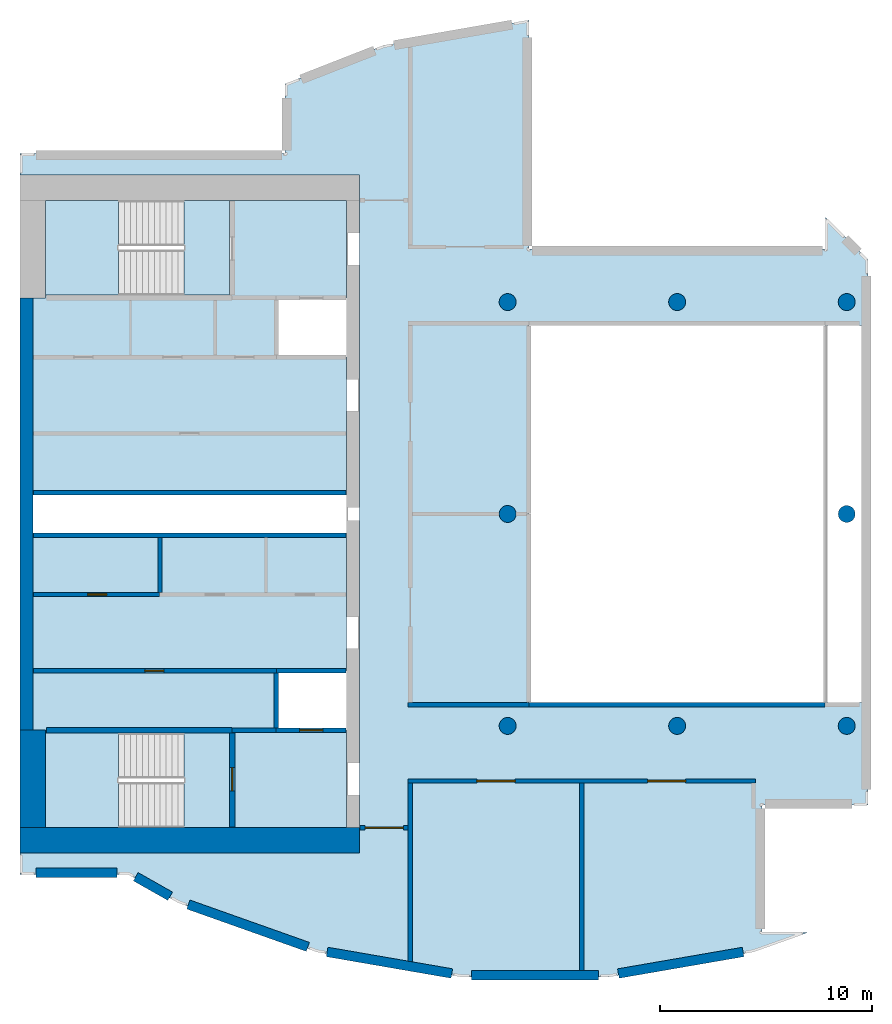
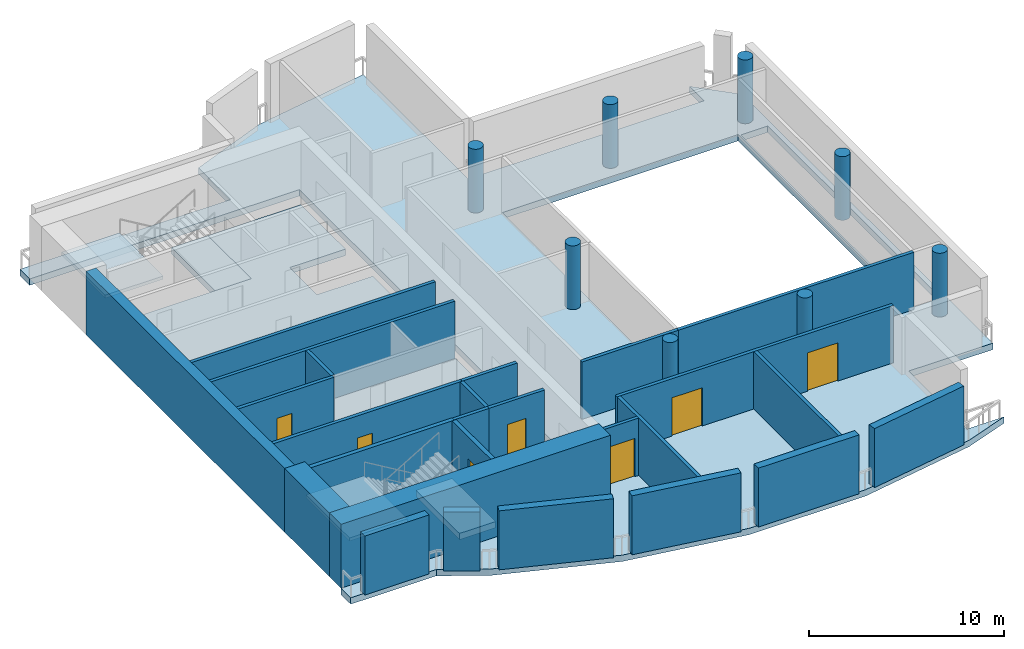
# One storey, part 1 of 8: 26 walls, 8 columns, 7 doors, 7 slabs, 7 openings, 2 elements without a shape of their own.
"""IFC4 building model written with IfcOpenShell, lengths in metres."""

from ifc_helpers import new_model, si_unit, direction, frame, frame_2d, origin, origin_2d, place, context, subcontext, project, spatial, polyline, rectangle, circle, outline, extrude, material, layer, layer_set, material_profile, profile_set, type_object, element, fill, aggregate, save


model = new_model("IFC4")

# Units and contexts
model_context = context("Model", 3, precision=1e-05, world=origin(), true_north=direction((0.0, 1.0)))
body_context = subcontext(model_context, "Body", "Model", "MODEL_VIEW")
ifc_project = project(units=[si_unit("LENGTHUNIT", "METRE"), si_unit("AREAUNIT", "SQUARE_METRE"), si_unit("VOLUMEUNIT", "CUBIC_METRE"), si_unit("PLANEANGLEUNIT", "RADIAN"), si_unit("MASSUNIT", "GRAM", prefix="KILO")], contexts=[model_context])

# Site, building, storey
site_placement = place(None, origin())
site = spatial("IfcSite", under=ifc_project, at=site_placement, CompositionType="ELEMENT")
building_placement = place(site_placement, origin())
building = spatial("IfcBuilding", under=site, at=building_placement, Name="Cypress Arch Tower", CompositionType="ELEMENT")
storey_placement = place(building_placement, frame((0.0, 0.0, 347.0)))
storey = spatial("IfcBuildingStorey", under=building, at=storey_placement, Name="L79", CompositionType="ELEMENT", Elevation=347.0)

# Columns
ifc_material_1 = material(Name="Concrete C60/75", Category="concrete")
ifc_material_profile = material_profile(ifc_material_1, circle(Radius=0.39990234375, at=origin_2d()), Name="RC D800")
ifc_profile_set = profile_set([ifc_material_profile], Name="Concrete C60/75")
column_type = type_object("IfcColumnType", Name="Column RC D800 Concrete C60/75", PredefinedType="COLUMN", material=ifc_profile_set)
for number, where, z_axis, x_axis, name in (
    (1, (-7.0, -10.0, 0.0), (0.0, 0.0, 1.0), (1.0, 0.0, 0.0), "Column L79 RNG-L79-G-7-10"),
    (2, (-7.0, 0.0, 0.0), (0.0, 0.0, 1.0), (1.0, 0.0, 0.0), "Column L79 RNG-L79-G-7+0"),
    (3, (-7.0, 10.0, 0.0), (0.0, 0.0, 1.0), (1.0, 0.0, 0.0), "Column L79 RNG-L79-G-7+10"),
    (4, (1.0, -10.0, 0.0), (0.0, 0.0, 1.0), (1.0, 0.0, 0.0), "Column L79 RNG-L79-G+1-10"),
    (5, (1.0, 10.0, 0.0), (0.0, 0.0, 1.0), (1.0, 0.0, 0.0), "Column L79 RNG-L79-G+1+10"),
    (6, (9.0, -10.0, 0.0), (0.0, 0.0, 1.0), (1.0, 0.0, 0.0), "Column L79 RNG-L79-G+9-10"),
    (7, (9.0, 0.0, 0.0), (0.0, 0.0, 1.0), (1.0, 0.0, 0.0), "Column L79 RNG-L79-G+9+0"),
    (8, (9.0, 10.0, 0.0), (0.0, 0.0, 1.0), (1.0, 0.0, 0.0), "Column L79 RNG-L79-G+9+10"),
):
    element("IfcColumn", number, at=place(storey_placement, frame(where, z_axis=z_axis, x_axis=x_axis)), inside=storey, type_object=column_type, Name=name, PredefinedType="COLUMN", context=body_context, shape_type="SweptSolid", body=[
        extrude(circle(Radius=0.39990234375, at=origin_2d()), origin(), (0.0, 0.0, 1.0), 4.0),
    ])

# Slabs
ifc_material_2 = material(Name="Concrete C40/50", Category="concrete")
ifc_layer_1 = layer(ifc_material_2, 0.402099609375)
ifc_layer_set_1 = layer_set([ifc_layer_1], Name="Core floor CF402")
slab_type_1 = type_object("IfcSlabType", Name="Core floor CF402", PredefinedType="FLOOR", material=ifc_layer_set_1)
slab_1_placement = place(storey_placement, frame((0.0, 0.0, -0.402099609375)))
element("IfcSlab", 9, at=slab_1_placement, inside=storey, type_object=slab_type_1, Name="Core floor", PredefinedType="FLOOR", context=body_context, shape_type="SweptSolid", body=[
    extrude(outline(polyline([(-28.800048828125, -10.199951171875), (-29.0, -10.199951171875), (-29.39990234375, -10.199951171875), (-29.39990234375, -0.89990234375), (-29.0, -0.89990234375), (-15.0, -0.89990234375), (-14.60009765625, -0.89990234375), (-14.60009765625, -7.39990234375), (-15.0, -7.39990234375), (-17.919921875, -7.39990234375), (-17.919921875, -10.199951171875), (-15.0, -10.199951171875), (-14.60009765625, -10.199951171875), (-14.60009765625, -14.800048828125), (-15.0, -14.800048828125), (-20.125, -14.800048828125), (-20.125, -10.324951171875), (-22.27490234375, -10.324951171875), (-28.800048828125, -10.324951171875), (-28.800048828125, -10.199951171875)])), origin(), (0.0, 0.0, 1.0), 0.402099609375),
])
slab_2_placement = place(storey_placement, frame((0.0, 0.0, -0.402099609375)))
element("IfcSlab", 10, at=slab_2_placement, inside=storey, type_object=slab_type_1, Name="Core floor", PredefinedType="FLOOR", context=body_context, shape_type="SweptSolid", body=[
    extrude(outline(polyline([(-22.27490234375, -10.324951171875), (-22.27490234375, -14.800048828125), (-20.125, -14.800048828125), (-20.125, -10.324951171875), (-22.27490234375, -10.324951171875)])), origin(), (0.0, 0.0, 1.0), 0.402099609375),
])
slab_3_placement = place(storey_placement, frame((0.0, 0.0, -0.402099609375)))
element("IfcSlab", 11, at=slab_3_placement, inside=storey, type_object=slab_type_1, Name="Core floor", PredefinedType="FLOOR", context=body_context, shape_type="SweptSolid", body=[
    extrude(outline(polyline([(-20.125, 14.800048828125), (-22.27490234375, 14.800048828125), (-22.27490234375, 10.324951171875), (-20.125, 10.324951171875), (-20.125, 14.800048828125)])), origin(), (0.0, 0.0, 1.0), 0.402099609375),
])
slab_4_placement = place(storey_placement, frame((0.0, 0.0, -0.402099609375)))
element("IfcSlab", 12, at=slab_4_placement, inside=storey, type_object=slab_type_1, Name="Core floor", PredefinedType="FLOOR", context=body_context, shape_type="SweptSolid", body=[
    extrude(outline(polyline([(-22.27490234375, 10.324951171875), (-20.125, 10.324951171875), (-20.125, 14.800048828125), (-15.0, 14.800048828125), (-14.60009765625, 14.800048828125), (-14.60009765625, 10.199951171875), (-15.0, 10.199951171875), (-17.919921875, 10.199951171875), (-17.919921875, 7.39990234375), (-15.0, 7.39990234375), (-14.60009765625, 7.39990234375), (-14.60009765625, 1.5), (-14.60009765625, 0.89990234375), (-15.0, 0.89990234375), (-29.0, 0.89990234375), (-29.39990234375, 0.89990234375), (-29.39990234375, 1.5), (-29.39990234375, 10.199951171875), (-29.0, 10.199951171875), (-28.800048828125, 10.199951171875), (-28.800048828125, 10.324951171875), (-22.27490234375, 10.324951171875)])), origin(), (0.0, 0.0, 1.0), 0.402099609375),
])
ifc_material_3 = material(Name="Concrete C40/50", Category="concrete")
ifc_layer_2 = layer(ifc_material_3, 0.39990234375)
ifc_layer_set_2 = layer_set([ifc_layer_2], Name="Crown flat slab 400 Concrete C40/50")
slab_type_2 = type_object("IfcSlabType", Name="Crown flat slab 400 Concrete C40/50", PredefinedType="FLOOR", material=ifc_layer_set_2)
slab_5_placement = place(storey_placement, frame((0.0, 0.0, -0.39990234375)))
element("IfcSlab", 13, at=slab_5_placement, inside=storey, type_object=slab_type_2, Name="Floor slab L79", PredefinedType="FLOOR", context=body_context, shape_type="SweptSolid", body=[
    extrude(outline(polyline([(-17.5, 17.0), (-17.5, 20.2900390625), (-12.85009765625, 22.110107421875), (-6.0, 23.300048828125), (-6.0, 12.5), (8.0, 12.5), (8.0, 14.0), (10.0, 12.0), (10.0, -13.739990234375), (5.0, -13.739990234375), (5.0, -19.739990234375), (7.18994140625, -19.739990234375), (4.60009765625, -20.659912109375), (-2.22998046875, -21.840087890625), (-9.169921875, -21.840087890625), (-16.0, -20.659912109375), (-22.5400390625, -18.340087890625), (-24.909912109375, -17.0), (-30.0, -17.0), (-30.0, -16.0), (-14.0, -16.0), (-14.0, 16.0), (-30.0, 16.0), (-30.0, 17.0), (-17.5, 17.0)]), holes=[polyline([(8.10009765625, -8.89990234375), (9.699951171875, -8.89990234375), (9.699951171875, 8.89990234375), (8.10009765625, 8.89990234375), (8.10009765625, -8.89990234375)]), polyline([(8.0, -9.0), (8.0, 9.0), (-6.0, 9.0), (-6.0, -9.0), (8.0, -9.0)])]), origin(), (0.0, 0.0, 1.0), 0.39990234375),
])

# Stair, slab
ifc_material_4 = material(Name="Concrete C40/50", Category="concrete")
stair_type = type_object("IfcStairType", Name="Exit stair ES1667-215", PredefinedType="HALF_TURN_STAIR", material=ifc_material_4)
stair_1_placement = place(storey_placement, origin())
stair_1 = element("IfcStair", 14, at=stair_1_placement, inside=storey, type_object=stair_type, Name="L79 Exit stair A", PredefinedType="HALF_TURN_STAIR")
ifc_material_5 = material(Name="Concrete C40/50", Category="concrete")
ifc_layer_3 = layer(ifc_material_5, 0.199951171875)
ifc_layer_set_3 = layer_set([ifc_layer_3], Name="Stair landing SL200")
slab_type_3 = type_object("IfcSlabType", Name="Stair landing SL200", PredefinedType="LANDING", material=ifc_layer_set_3)
slab_6_placement = place(storey_placement, frame((0.0, 0.0, 1.800048828125)))
slab_6 = element("IfcSlab", 15, at=slab_6_placement, type_object=slab_type_3, Name="A landing 1", PredefinedType="LANDING", context=body_context, shape_type="SweptSolid", body=[
    extrude(outline(polyline([(-25.35498046875, -10.324951171875), (-28.800048828125, -10.324951171875), (-28.800048828125, -14.800048828125), (-25.35498046875, -14.800048828125), (-25.35498046875, -10.324951171875)])), origin(), (0.0, 0.0, 1.0), 0.199951171875),
])
aggregate(stair_1, [slab_6])

stair_2_placement = place(storey_placement, origin())
stair_2 = element("IfcStair", 16, at=stair_2_placement, inside=storey, type_object=stair_type, Name="L79 Exit stair B", PredefinedType="HALF_TURN_STAIR")
slab_7_placement = place(storey_placement, frame((0.0, 0.0, 1.800048828125)))
slab_7 = element("IfcSlab", 17, at=slab_7_placement, type_object=slab_type_3, Name="B landing 1", PredefinedType="LANDING", context=body_context, shape_type="SweptSolid", body=[
    extrude(outline(polyline([(-25.35498046875, 14.800048828125), (-28.800048828125, 14.800048828125), (-28.800048828125, 10.324951171875), (-25.35498046875, 10.324951171875), (-25.35498046875, 14.800048828125)])), origin(), (0.0, 0.0, 1.0), 0.199951171875),
])
aggregate(stair_2, [slab_7])

# Walls
ifc_material_6 = material(Name="Brick (red buff blend)", Category="masonry")
ifc_layer_4 = layer(ifc_material_6, 0.449951171875)
ifc_layer_set_4 = layer_set([ifc_layer_4], Name="Brick belt wall BW450-B")
wall_type_1 = type_object("IfcWallType", Name="Brick belt wall BW450-B", PredefinedType="SOLIDWALL", material=ifc_layer_set_4)
wall_1_placement = place(storey_placement, frame((-29.25, -16.925048828125, 0.0), z_axis=(0.0, 0.0, 1.0), x_axis=(1.0, 0.0, 0.0)))
element("IfcWall", 18, at=wall_1_placement, inside=storey, type_object=wall_type_1, Name="Brick wall L79 K00.0", PredefinedType="SOLIDWALL", context=body_context, shape_type="SweptSolid", body=[
    extrude(rectangle(XDim=3.8056640625, YDim=0.449951171875, at=frame_2d((1.90283203125, 0.0))), origin(), (0.0, 0.0, 1.0), 3.699951171875),
])
wall_2_placement = place(storey_placement, frame((-24.550048828125, -17.117431640625, 0.0), z_axis=(0.0, 0.0, 1.0), x_axis=(0.8704776513, -0.492207942427, 0.0)))
element("IfcWall", 19, at=wall_2_placement, inside=storey, type_object=wall_type_1, Name="Brick wall L79 K01.0", PredefinedType="SOLIDWALL", context=body_context, shape_type="SweptSolid", body=[
    extrude(rectangle(XDim=1.868408203125, YDim=0.449951171875, at=frame_2d((0.93408203125, 0.0))), origin(), (0.0, 0.0, 1.0), 3.699951171875),
])
wall_3_placement = place(storey_placement, frame((-22.066162109375, -18.428466796875, 0.0), z_axis=(0.0, 0.0, 1.0), x_axis=(0.942451811453, -0.334342015142, 0.0)))
element("IfcWall", 20, at=wall_3_placement, inside=storey, type_object=wall_type_1, Name="Brick wall L79 K02.0", PredefinedType="SOLIDWALL", context=body_context, shape_type="SweptSolid", body=[
    extrude(rectangle(XDim=5.981201171875, YDim=0.449951171875, at=frame_2d((2.99072265625, 0.0))), origin(), (0.0, 0.0, 1.0), 3.699951171875),
])
wall_4_placement = place(storey_placement, frame((-15.5185546875, -20.6669921875, 0.0), z_axis=(0.0, 0.0, 1.0), x_axis=(0.985396567064, -0.170275088074, 0.0)))
element("IfcWall", 21, at=wall_4_placement, inside=storey, type_object=wall_type_1, Name="Brick wall L79 K03.0", PredefinedType="SOLIDWALL", context=body_context, shape_type="SweptSolid", body=[
    extrude(rectangle(XDim=5.97314453125, YDim=0.449951171875, at=frame_2d((2.986572265625, 0.0))), origin(), (0.0, 0.0, 1.0), 3.699951171875),
])
wall_5_placement = place(storey_placement, frame((-8.6943359375, -21.764892578125, 0.0), z_axis=(0.0, 0.0, 1.0), x_axis=(1.0, 0.0, 0.0)))
element("IfcWall", 22, at=wall_5_placement, inside=storey, type_object=wall_type_1, Name="Brick wall L79 K04.0", PredefinedType="SOLIDWALL", context=body_context, shape_type="SweptSolid", body=[
    extrude(rectangle(XDim=5.98193359375, YDim=0.449951171875, at=frame_2d((2.990966796875, 0.0))), origin(), (0.0, 0.0, 1.0), 3.699951171875),
])
wall_6_placement = place(storey_placement, frame((-1.77392578125, -21.68505859375, 0.0), z_axis=(0.0, 0.0, 1.0), x_axis=(0.985403424257, 0.170235400142, 0.0)))
element("IfcWall", 23, at=wall_6_placement, inside=storey, type_object=wall_type_1, Name="Brick wall L79 K05.0", PredefinedType="SOLIDWALL", context=body_context, shape_type="SweptSolid", body=[
    extrude(rectangle(XDim=5.97314453125, YDim=0.449951171875, at=frame_2d((2.986572265625, 0.0))), origin(), (0.0, 0.0, 1.0), 3.699951171875),
])
ifc_material_7 = material(Name="Concrete C50/60", Category="concrete")
ifc_layer_5 = layer(ifc_material_7, 1.199951171875)
ifc_layer_set_5 = layer_set([ifc_layer_5], Name="Core wall CW1200 C50/60")
wall_type_2 = type_object("IfcWallType", Name="Core wall CW1200 C50/60", PredefinedType="SHEAR", material=ifc_layer_set_5)
wall_7_placement = place(storey_placement, frame((-30.0, -15.39990234375, 0.0), z_axis=(0.0, 0.0, 1.0), x_axis=(1.0, 0.0, 0.0)))
element("IfcWall", 24, at=wall_7_placement, inside=storey, type_object=wall_type_2, Name="Core wall", PredefinedType="SHEAR", context=body_context, shape_type="SweptSolid", body=[
    extrude(rectangle(XDim=16.0, YDim=1.199951171875, at=frame_2d((8.0, 0.0))), origin(), (0.0, 0.0, 1.0), 4.0),
])
wall_8_placement = place(storey_placement, frame((-29.39990234375, -14.800048828125, 0.0), z_axis=(0.0, 0.0, 1.0), x_axis=(0.0, 1.0, 0.0)))
element("IfcWall", 25, at=wall_8_placement, inside=storey, type_object=wall_type_2, Name="Core wall", PredefinedType="SHEAR", context=body_context, shape_type="SweptSolid", body=[
    extrude(rectangle(XDim=4.60009765625, YDim=1.199951171875, at=frame_2d((2.300048828125, 0.0))), origin(), (0.0, 0.0, 1.0), 4.0),
])
ifc_material_8 = material(Name="Concrete C50/60", Category="concrete")
ifc_layer_6 = layer(ifc_material_8, 0.60009765625)
ifc_layer_set_6 = layer_set([ifc_layer_6], Name="Core wall CW600 C50/60")
wall_type_3 = type_object("IfcWallType", Name="Core wall CW600 C50/60", PredefinedType="SHEAR", material=ifc_layer_set_6)
wall_9_placement = place(storey_placement, frame((-29.699951171875, -10.199951171875, 0.0), z_axis=(0.0, 0.0, 1.0), x_axis=(0.0, 1.0, 0.0)))
element("IfcWall", 26, at=wall_9_placement, inside=storey, type_object=wall_type_3, Name="Core wall", PredefinedType="SHEAR", context=body_context, shape_type="SweptSolid", body=[
    extrude(rectangle(XDim=20.39990234375, YDim=0.60009765625, at=frame_2d((10.199951171875, 0.0))), origin(), (0.0, 0.0, 1.0), 4.0),
])
ifc_material_9 = material(Name="Concrete blockwork, plastered, rated", Category="masonry")
ifc_layer_7 = layer(ifc_material_9, 0.199951171875)
ifc_layer_set_7 = layer_set([ifc_layer_7], Name="Corridor wall FW200")
wall_type_4 = type_object("IfcWallType", Name="Corridor wall FW200", PredefinedType="PARTITIONING", material=ifc_layer_set_7)
wall_10_placement = place(storey_placement, frame((-5.97998046875, -9.0, 0.0), z_axis=(0.0, 0.0, 1.0), x_axis=(1.0, 0.0, 0.0)))
element("IfcWall", 27, at=wall_10_placement, inside=storey, type_object=wall_type_4, Name="Corridor wall", PredefinedType="PARTITIONING", context=body_context, shape_type="SweptSolid", body=[
    extrude(rectangle(XDim=13.9599609375, YDim=0.199951171875, at=frame_2d((6.97998046875, 0.0))), origin(), (0.0, 0.0, 1.0), 3.597900390625),
])

# Wall, opening, door
ifc_material_10 = material(Name="Reinforced blockwork, plastered, rated", Category="masonry")
ifc_layer_8 = layer(ifc_material_10, 0.199951171875)
ifc_layer_set_8 = layer_set([ifc_layer_8], Name="Plant and riser wall PL200")
wall_type_5 = type_object("IfcWallType", Name="Plant and riser wall PL200", PredefinedType="PARTITIONING", material=ifc_layer_set_8)
wall_11_placement = place(storey_placement, frame((-29.3701171875, -7.39990234375, 0.0), z_axis=(0.0, 0.0, 1.0), x_axis=(1.0, 0.0, 0.0)))
wall_11 = element("IfcWall", 28, at=wall_11_placement, inside=storey, type_object=wall_type_5, Name="Plant and riser wall", PredefinedType="PARTITIONING", context=body_context, shape_type="SweptSolid", body=[
    extrude(rectangle(XDim=11.47021484375, YDim=0.199951171875, at=frame_2d((5.735107421875, 0.0))), origin(), (0.0, 0.0, 1.0), 3.597900390625),
])
opening_1_placement = place(wall_11_placement, frame((5.25, 0.0, 0.0)))
opening_1 = element("IfcOpeningElement", 29, at=opening_1_placement, cuts=wall_11, Name="Opening D05", PredefinedType="OPENING", context=body_context, shape_type="SweptSolid", body=[
    extrude(rectangle(XDim=0.89990234375, YDim=2.199951171875, at=frame_2d((0.449951171875, 1.10009765625))), frame((0.0, 0.10986328125, 0.0), z_axis=(0.0, -1.0, 0.0), x_axis=(1.0, 0.0, 0.0)), (0.0, 0.0, 1.0), 0.219970703125),
])
ifc_material_11 = material(Name="Timber flush door", Category="wood")
door_type_1 = type_object("IfcDoorType", Name="Service door D05 900x2200", OperationType="SINGLE_SWING_LEFT", PredefinedType="DOOR", material=ifc_material_11)
door_1_placement = place(opening_1_placement, origin())
door_1 = element("IfcDoor", 30, at=door_1_placement, inside=storey, type_object=door_type_1, Name="Service door", OperationType="SINGLE_SWING_RIGHT", OverallHeight=2.199951171875, OverallWidth=0.89990234375, PredefinedType="DOOR", context=body_context, shape_type="SweptSolid", body=[
    extrude(rectangle(XDim=0.89990234375, YDim=2.199951171875, at=frame_2d((0.449951171875, 1.10009765625))), frame((0.0, 0.02490234375, 0.0), z_axis=(0.0, -1.0, 0.0), x_axis=(1.0, 0.0, 0.0)), (0.0, 0.0, 1.0), 0.050048828125),
])
fill(opening_1, door_1)

wall_12_placement = place(storey_placement, frame((-29.3701171875, -3.800048828125, 0.0), z_axis=(0.0, 0.0, 1.0), x_axis=(1.0, 0.0, 0.0)))
wall_12 = element("IfcWall", 31, at=wall_12_placement, inside=storey, type_object=wall_type_5, Name="Plant and riser wall", PredefinedType="PARTITIONING", context=body_context, shape_type="SweptSolid", body=[
    extrude(rectangle(XDim=5.9501953125, YDim=0.199951171875, at=frame_2d((2.97509765625, 0.0))), origin(), (0.0, 0.0, 1.0), 3.597900390625),
])
opening_2_placement = place(wall_12_placement, frame((2.550048828125, 0.0, 0.0)))
opening_2 = element("IfcOpeningElement", 32, at=opening_2_placement, cuts=wall_12, Name="Opening D05", PredefinedType="OPENING", context=body_context, shape_type="SweptSolid", body=[
    extrude(rectangle(XDim=0.89990234375, YDim=2.199951171875, at=frame_2d((0.449951171875, 1.10009765625))), frame((0.0, 0.10986328125, 0.0), z_axis=(0.0, -1.0, 0.0), x_axis=(1.0, 0.0, 0.0)), (0.0, 0.0, 1.0), 0.219970703125),
])
door_2_placement = place(opening_2_placement, origin())
door_2 = element("IfcDoor", 33, at=door_2_placement, inside=storey, type_object=door_type_1, Name="Service door", OperationType="SINGLE_SWING_RIGHT", OverallHeight=2.199951171875, OverallWidth=0.89990234375, PredefinedType="DOOR", context=body_context, shape_type="SweptSolid", body=[
    extrude(rectangle(XDim=0.89990234375, YDim=2.199951171875, at=frame_2d((0.449951171875, 1.10009765625))), frame((0.0, 0.02490234375, 0.0), z_axis=(0.0, -1.0, 0.0), x_axis=(1.0, 0.0, 0.0)), (0.0, 0.0, 1.0), 0.050048828125),
])
fill(opening_2, door_2)

# Walls
for number, where, z_axis, x_axis, name in (
    (34, (-29.3701171875, -1.0, 0.0), (0.0, 0.0, 1.0), (1.0, 0.0, 0.0), "Plant and riser wall"),
    (35, (-29.3701171875, 1.0, 0.0), (0.0, 0.0, 1.0), (1.0, 0.0, 0.0), "Plant and riser wall"),
):
    element("IfcWall", number, at=place(storey_placement, frame(where, z_axis=z_axis, x_axis=x_axis)), inside=storey, type_object=wall_type_5, Name=name, PredefinedType="PARTITIONING", context=body_context, shape_type="SweptSolid", body=[
        extrude(rectangle(XDim=14.740234375, YDim=0.199951171875, at=frame_2d((7.3701171875, 0.0))), origin(), (0.0, 0.0, 1.0), 3.597900390625),
    ])
wall_13_placement = place(storey_placement, frame((-23.39990234375, -3.699951171875, 0.0), z_axis=(0.0, 0.0, 1.0), x_axis=(0.0, 1.0, 0.0)))
element("IfcWall", 36, at=wall_13_placement, inside=storey, type_object=wall_type_5, Name="Plant and riser wall", PredefinedType="PARTITIONING", context=body_context, shape_type="SweptSolid", body=[
    extrude(rectangle(XDim=2.599853515625, YDim=0.199951171875, at=frame_2d((1.2998046875, 0.0))), origin(), (0.0, 0.0, 1.0), 3.597900390625),
])
wall_14_placement = place(storey_placement, frame((-20.0, -10.199951171875, 0.0), z_axis=(0.0, 0.0, 1.0), x_axis=(1.0, 0.0, 0.0)))
element("IfcWall", 37, at=wall_14_placement, inside=storey, type_object=wall_type_5, Name="Plant and riser wall", PredefinedType="PARTITIONING", context=body_context, shape_type="SweptSolid", body=[
    extrude(rectangle(XDim=2.080078125, YDim=0.199951171875, at=frame_2d((1.0400390625, 0.0))), origin(), (0.0, 0.0, 1.0), 3.597900390625),
])

# Wall, opening, door
wall_15_placement = place(storey_placement, frame((-13.969970703125, -14.800048828125, 0.0), z_axis=(0.0, 0.0, 1.0), x_axis=(1.0, 0.0, 0.0)))
wall_15 = element("IfcWall", 38, at=wall_15_placement, inside=storey, type_object=wall_type_5, Name="Plant and riser wall", PredefinedType="PARTITIONING", context=body_context, shape_type="SweptSolid", body=[
    extrude(rectangle(XDim=2.27001953125, YDim=0.199951171875, at=frame_2d((1.135009765625, 0.0))), origin(), (0.0, 0.0, 1.0), 3.597900390625),
])
opening_3_placement = place(wall_15_placement, frame((0.25, 0.0, 0.0)))
opening_3 = element("IfcOpeningElement", 39, at=opening_3_placement, cuts=wall_15, Name="Opening D09", PredefinedType="OPENING", context=body_context, shape_type="SweptSolid", body=[
    extrude(rectangle(XDim=1.800048828125, YDim=2.39990234375, at=frame_2d((0.89990234375, 1.199951171875))), frame((0.0, 0.10986328125, 0.0), z_axis=(0.0, -1.0, 0.0), x_axis=(1.0, 0.0, 0.0)), (0.0, 0.0, 1.0), 0.219970703125),
])
ifc_material_12 = material(Name="Steel door, fire resisting", Category="steel")
door_type_2 = type_object("IfcDoorType", Name="Plant room door D09 1800x2400", OperationType="DOUBLE_DOOR_SINGLE_SWING", PredefinedType="DOOR", material=ifc_material_12)
door_3_placement = place(opening_3_placement, origin())
door_3 = element("IfcDoor", 40, at=door_3_placement, inside=storey, type_object=door_type_2, Name="Plant room door", OperationType="DOUBLE_DOOR_SINGLE_SWING", OverallHeight=2.39990234375, OverallWidth=1.800048828125, PredefinedType="DOOR", context=body_context, shape_type="SweptSolid", body=[
    extrude(rectangle(XDim=1.800048828125, YDim=2.39990234375, at=frame_2d((0.89990234375, 1.199951171875))), frame((0.0, 0.02490234375, 0.0), z_axis=(0.0, -1.0, 0.0), x_axis=(1.0, 0.0, 0.0)), (0.0, 0.0, 1.0), 0.050048828125),
])
fill(opening_3, door_3)

# Wall
wall_16_placement = place(storey_placement, frame((-11.60009765625, -21.11572265625, 0.0), z_axis=(0.0, 0.0, 1.0), x_axis=(0.0, 1.0, 0.0)))
element("IfcWall", 41, at=wall_16_placement, inside=storey, type_object=wall_type_5, Name="Plant and riser wall", PredefinedType="PARTITIONING", context=body_context, shape_type="SweptSolid", body=[
    extrude(rectangle(XDim=8.414794921875, YDim=0.199951171875, at=frame_2d((4.20751953125, 0.0))), origin(), (0.0, 0.0, 1.0), 3.597900390625),
])

# Wall, openings, doors
wall_17_placement = place(storey_placement, frame((-11.698974609375, -12.60009765625, 0.0), z_axis=(0.0, 0.0, 1.0), x_axis=(1.0, 0.0, 0.0)))
wall_17 = element("IfcWall", 42, at=wall_17_placement, inside=storey, type_object=wall_type_5, Name="Plant and riser wall", PredefinedType="PARTITIONING", context=body_context, shape_type="SweptSolid", body=[
    extrude(rectangle(XDim=16.39794921875, YDim=0.199951171875, at=frame_2d((8.198974609375, 0.0))), origin(), (0.0, 0.0, 1.0), 3.597900390625),
])
opening_4_placement = place(wall_17_placement, frame((3.25, 0.0, 0.0)))
opening_4 = element("IfcOpeningElement", 43, at=opening_4_placement, cuts=wall_17, Name="Opening D09", PredefinedType="OPENING", context=body_context, shape_type="SweptSolid", body=[
    extrude(rectangle(XDim=1.800048828125, YDim=2.39990234375, at=frame_2d((0.89990234375, 1.199951171875))), frame((0.0, 0.10986328125, 0.0), z_axis=(0.0, -1.0, 0.0), x_axis=(1.0, 0.0, 0.0)), (0.0, 0.0, 1.0), 0.219970703125),
])
opening_5_placement = place(wall_17_placement, frame((11.300048828125, 0.0, 0.0)))
opening_5 = element("IfcOpeningElement", 44, at=opening_5_placement, cuts=wall_17, Name="Opening D09", PredefinedType="OPENING", context=body_context, shape_type="SweptSolid", body=[
    extrude(rectangle(XDim=1.800048828125, YDim=2.39990234375, at=frame_2d((0.89990234375, 1.199951171875))), frame((0.0, 0.10986328125, 0.0), z_axis=(0.0, -1.0, 0.0), x_axis=(1.0, 0.0, 0.0)), (0.0, 0.0, 1.0), 0.219970703125),
])
door_4_placement = place(opening_4_placement, origin())
door_4 = element("IfcDoor", 45, at=door_4_placement, inside=storey, type_object=door_type_2, Name="Plant room door", OperationType="DOUBLE_DOOR_SINGLE_SWING", OverallHeight=2.39990234375, OverallWidth=1.800048828125, PredefinedType="DOOR", context=body_context, shape_type="SweptSolid", body=[
    extrude(rectangle(XDim=1.800048828125, YDim=2.39990234375, at=frame_2d((0.89990234375, 1.199951171875))), frame((0.0, 0.02490234375, 0.0), z_axis=(0.0, -1.0, 0.0), x_axis=(1.0, 0.0, 0.0)), (0.0, 0.0, 1.0), 0.050048828125),
])
fill(opening_4, door_4)
door_5_placement = place(opening_5_placement, origin())
door_5 = element("IfcDoor", 46, at=door_5_placement, inside=storey, type_object=door_type_2, Name="Plant room door", OperationType="DOUBLE_DOOR_SINGLE_SWING", OverallHeight=2.39990234375, OverallWidth=1.800048828125, PredefinedType="DOOR", context=body_context, shape_type="SweptSolid", body=[
    extrude(rectangle(XDim=1.800048828125, YDim=2.39990234375, at=frame_2d((0.89990234375, 1.199951171875))), frame((0.0, 0.02490234375, 0.0), z_axis=(0.0, -1.0, 0.0), x_axis=(1.0, 0.0, 0.0)), (0.0, 0.0, 1.0), 0.050048828125),
])
fill(opening_5, door_5)

# Walls
wall_18_placement = place(storey_placement, frame((-11.698974609375, -9.0, 0.0), z_axis=(0.0, 0.0, 1.0), x_axis=(1.0, 0.0, 0.0)))
element("IfcWall", 47, at=wall_18_placement, inside=storey, type_object=wall_type_5, Name="Plant and riser wall", PredefinedType="PARTITIONING", context=body_context, shape_type="SweptSolid", body=[
    extrude(rectangle(XDim=5.718994140625, YDim=0.199951171875, at=frame_2d((2.859375, 0.0))), origin(), (0.0, 0.0, 1.0), 3.597900390625),
])
wall_19_placement = place(storey_placement, frame((-3.5, -21.5400390625, 0.0), z_axis=(0.0, 0.0, 1.0), x_axis=(0.0, 1.0, 0.0)))
element("IfcWall", 48, at=wall_19_placement, inside=storey, type_object=wall_type_5, Name="Plant and riser wall", PredefinedType="PARTITIONING", context=body_context, shape_type="SweptSolid", body=[
    extrude(rectangle(XDim=8.840087890625, YDim=0.199951171875, at=frame_2d((4.419921875, 0.0))), origin(), (0.0, 0.0, 1.0), 3.597900390625),
])
ifc_material_13 = material(Name="Concrete C50/60", Category="concrete")
ifc_layer_9 = layer(ifc_material_13, 0.199951171875)
ifc_layer_set_9 = layer_set([ifc_layer_9], Name="Shaft wall SH200")
wall_type_6 = type_object("IfcWallType", Name="Shaft wall SH200", PredefinedType="SHEAR", material=ifc_layer_set_9)
wall_20_placement = place(storey_placement, frame((-17.919921875, -10.10009765625, 0.0), z_axis=(0.0, 0.0, 1.0), x_axis=(0.0, 1.0, 0.0)))
element("IfcWall", 49, at=wall_20_placement, inside=storey, type_object=wall_type_6, Name="Shaft wall", PredefinedType="SHEAR", context=body_context, shape_type="SweptSolid", body=[
    extrude(rectangle(XDim=2.60009765625, YDim=0.199951171875, at=frame_2d((1.300048828125, 0.0))), origin(), (0.0, 0.0, 1.0), 3.597900390625),
])

# Wall, opening, door
wall_21_placement = place(storey_placement, frame((-17.919921875, -10.199951171875, 0.0), z_axis=(0.0, 0.0, 1.0), x_axis=(1.0, 0.0, 0.0)))
wall_21 = element("IfcWall", 50, at=wall_21_placement, inside=storey, type_object=wall_type_6, Name="Shaft wall", PredefinedType="SHEAR", context=body_context, shape_type="SweptSolid", body=[
    extrude(rectangle(XDim=3.2900390625, YDim=0.199951171875, at=frame_2d((1.64501953125, 0.0))), origin(), (0.0, 0.0, 1.0), 3.597900390625),
])
opening_6_placement = place(wall_21_placement, frame((1.10009765625, 0.0, 0.0)))
opening_6 = element("IfcOpeningElement", 51, at=opening_6_placement, cuts=wall_21, Name="Opening LD-FL1", PredefinedType="OPENING", context=body_context, shape_type="SweptSolid", body=[
    extrude(rectangle(XDim=1.10009765625, YDim=2.199951171875, at=frame_2d((0.550048828125, 1.10009765625))), frame((0.0, 0.10986328125, 0.0), z_axis=(0.0, -1.0, 0.0), x_axis=(1.0, 0.0, 0.0)), (0.0, 0.0, 1.0), 0.219970703125),
])
ifc_material_14 = material(Name="Stainless steel centre-opening landing door, rated", Category="steel")
door_type_3 = type_object("IfcDoorType", Name="Lift landing door LD 1100x2200", OperationType="DOUBLE_DOOR_SLIDING", PredefinedType="DOOR", material=ifc_material_14)
door_6_placement = place(opening_6_placement, origin())
door_6 = element("IfcDoor", 52, at=door_6_placement, inside=storey, type_object=door_type_3, Name="Lift landing doors FL1", OperationType="DOUBLE_DOOR_SLIDING", OverallHeight=2.199951171875, OverallWidth=1.10009765625, PredefinedType="DOOR", context=body_context, shape_type="SweptSolid", body=[
    extrude(rectangle(XDim=1.10009765625, YDim=2.199951171875, at=frame_2d((0.550048828125, 1.10009765625))), frame((0.0, 0.02490234375, 0.0), z_axis=(0.0, -1.0, 0.0), x_axis=(1.0, 0.0, 0.0)), (0.0, 0.0, 1.0), 0.050048828125),
])
fill(opening_6, door_6)

# Walls
wall_22_placement = place(storey_placement, frame((-17.89990234375, -7.39990234375, 0.0), z_axis=(0.0, 0.0, 1.0), x_axis=(1.0, 0.0, 0.0)))
element("IfcWall", 53, at=wall_22_placement, inside=storey, type_object=wall_type_6, Name="Shaft wall", PredefinedType="SHEAR", context=body_context, shape_type="SweptSolid", body=[
    extrude(rectangle(XDim=3.27001953125, YDim=0.199951171875, at=frame_2d((1.635009765625, 0.0))), origin(), (0.0, 0.0, 1.0), 3.597900390625),
])
ifc_material_15 = material(Name="Concrete C50/60", Category="concrete")
ifc_layer_10 = layer(ifc_material_15, 0.25)
ifc_layer_set_10 = layer_set([ifc_layer_10], Name="Stair enclosure wall SW250")
wall_type_7 = type_object("IfcWallType", Name="Stair enclosure wall SW250", PredefinedType="SHEAR", material=ifc_layer_set_10)
wall_23_placement = place(storey_placement, frame((-28.77001953125, -10.199951171875, 0.0), z_axis=(0.0, 0.0, 1.0), x_axis=(1.0, 0.0, 0.0)))
element("IfcWall", 54, at=wall_23_placement, inside=storey, type_object=wall_type_7, Name="Stair enclosure wall", PredefinedType="SHEAR", context=body_context, shape_type="SweptSolid", body=[
    extrude(rectangle(XDim=8.77001953125, YDim=0.25, at=frame_2d((4.385009765625, 0.0))), origin(), (0.0, 0.0, 1.0), 3.597900390625),
])

# Wall, opening, door
wall_24_placement = place(storey_placement, frame((-20.0, -14.77001953125, 0.0), z_axis=(0.0, 0.0, 1.0), x_axis=(0.0, 1.0, 0.0)))
wall_24 = element("IfcWall", 55, at=wall_24_placement, inside=storey, type_object=wall_type_7, Name="Stair enclosure wall", PredefinedType="SHEAR", context=body_context, shape_type="SweptSolid", body=[
    extrude(rectangle(XDim=4.445068359375, YDim=0.25, at=frame_2d((2.22265625, 0.0))), origin(), (0.0, 0.0, 1.0), 3.597900390625),
])
opening_7_placement = place(wall_24_placement, frame((1.699951171875, 0.0, 0.0)))
opening_7 = element("IfcOpeningElement", 56, at=opening_7_placement, cuts=wall_24, Name="Opening D06", PredefinedType="OPENING", context=body_context, shape_type="SweptSolid", body=[
    extrude(rectangle(XDim=1.10009765625, YDim=2.199951171875, at=frame_2d((0.550048828125, 1.10009765625))), frame((0.0, 0.135009765625, 0.0), z_axis=(0.0, -1.0, 0.0), x_axis=(1.0, 0.0, 0.0)), (0.0, 0.0, 1.0), 0.27001953125),
])
ifc_material_16 = material(Name="Steel door, fire resisting, panic bar", Category="steel")
door_type_4 = type_object("IfcDoorType", Name="Stair door D06 1100x2200", OperationType="SINGLE_SWING_LEFT", PredefinedType="DOOR", material=ifc_material_16)
door_7_placement = place(opening_7_placement, origin())
door_7 = element("IfcDoor", 57, at=door_7_placement, inside=storey, type_object=door_type_4, Name="Stair door", OperationType="SINGLE_SWING_RIGHT", OverallHeight=2.199951171875, OverallWidth=1.10009765625, PredefinedType="DOOR", context=body_context, shape_type="SweptSolid", body=[
    extrude(rectangle(XDim=1.10009765625, YDim=2.199951171875, at=frame_2d((0.550048828125, 1.10009765625))), frame((0.0, 0.02490234375, 0.0), z_axis=(0.0, -1.0, 0.0), x_axis=(1.0, 0.0, 0.0)), (0.0, 0.0, 1.0), 0.050048828125),
])
fill(opening_7, door_7)

save(model, "model.ifc")
